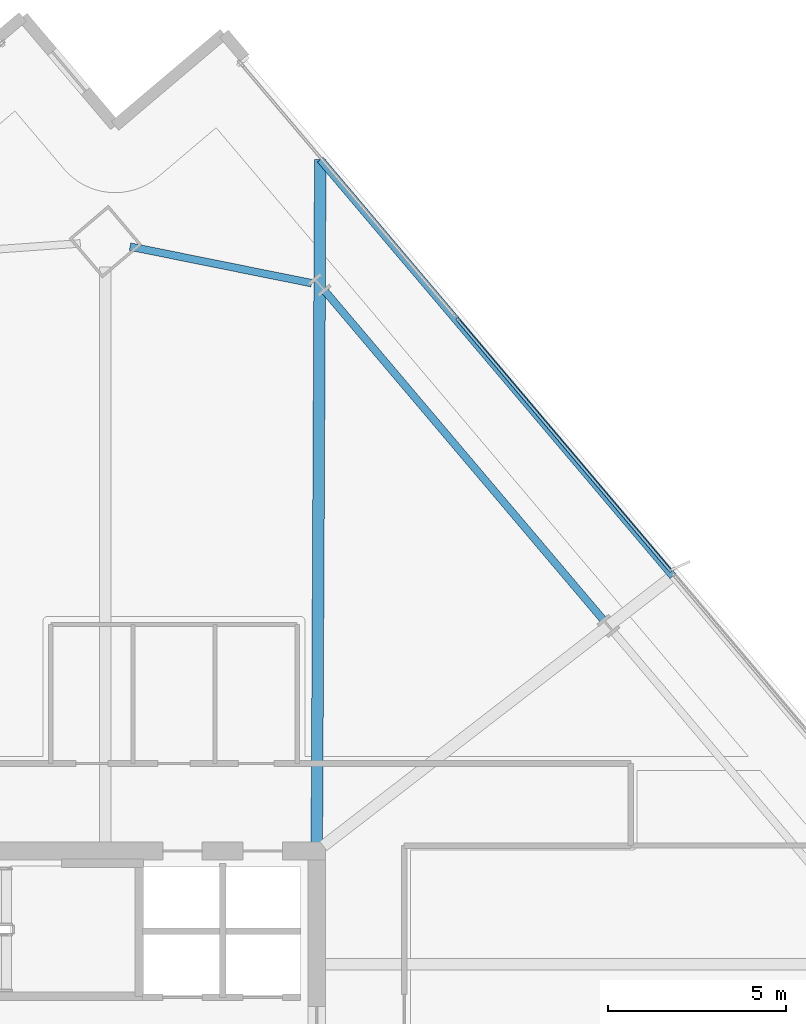
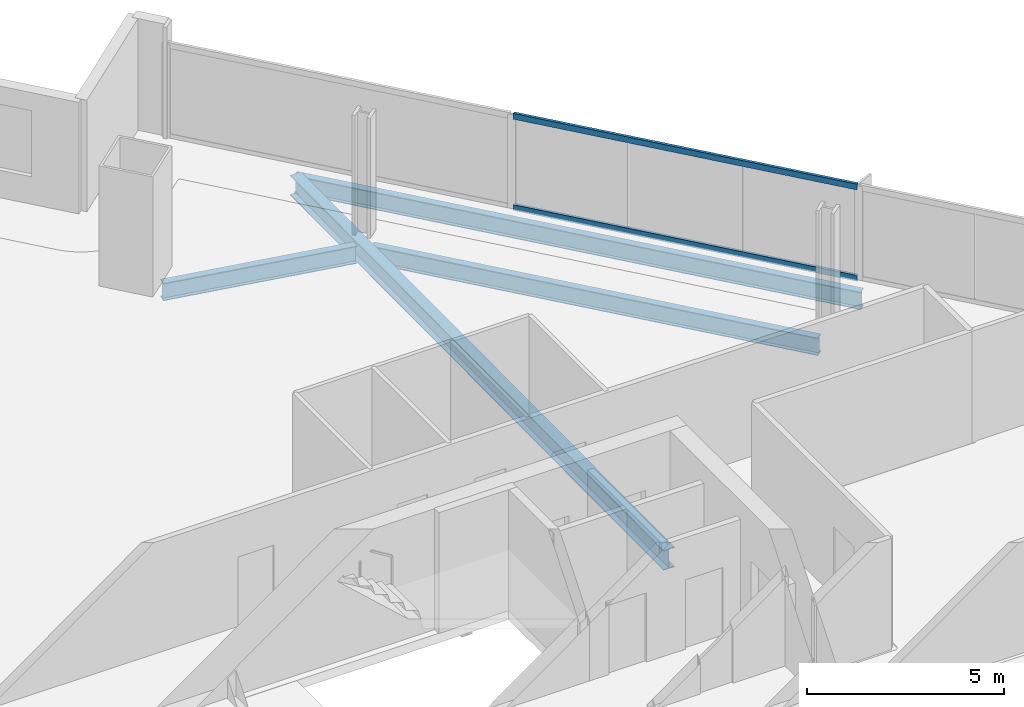
# One storey, part 23 of 34: 4 beams, 2 members, 1 element without a shape of its own.
"""IFC4 building model written with IfcOpenShell, lengths in metres."""

from ifc_helpers import new_model, si_unit, direction, frame, origin, origin_2d, place, context, subcontext, project, spatial, hollow_rectangle, i_section, extrude, material, material_profile, profile_set, type_object, element, aggregate, save


model = new_model("IFC4")

# Units and contexts
model_context = context("Model", 3, precision=1e-05, world=origin(), true_north=direction((0.0, 1.0)))
body_context = subcontext(model_context, "Body", "Model", "MODEL_VIEW")
ifc_project = project(units=[si_unit("LENGTHUNIT", "METRE"), si_unit("AREAUNIT", "SQUARE_METRE"), si_unit("VOLUMEUNIT", "CUBIC_METRE"), si_unit("PLANEANGLEUNIT", "RADIAN"), si_unit("MASSUNIT", "GRAM", prefix="KILO")], contexts=[model_context])

# Site, building, storey
site_placement = place(None, origin())
site = spatial("IfcSite", under=ifc_project, at=site_placement, CompositionType="ELEMENT")
building_placement = place(site_placement, origin())
building = spatial("IfcBuilding", under=site, at=building_placement, Name="Haldenkirk Collegiate Tower", CompositionType="ELEMENT")
storey_placement = place(building_placement, frame((0.0, 0.0, 163.199951171875)))
storey = spatial("IfcBuildingStorey", under=building, at=storey_placement, Name="L40", CompositionType="ELEMENT", Elevation=163.199951171875)

# Beams
ifc_material_1 = material(Name="Steel ASTM A992 Grade 50", Category="steel")
ifc_material_profile_1 = material_profile(ifc_material_1, i_section(OverallWidth=0.324951171875, OverallDepth=0.615966796875, WebThickness=0.013916015625, FlangeThickness=0.021484375, at=origin_2d()), Name="W24X117")
ifc_profile_set_1 = profile_set([ifc_material_profile_1], Name="Steel ASTM A992 Grade 50")
beam_type_1 = type_object("IfcBeamType", Name="BM-GIRDER-W24X117", PredefinedType="BEAM", material=ifc_profile_set_1)
beam_1_placement = place(storey_placement, frame((45.09765625, 53.373291015625, -0.597900390625), z_axis=(-0.005037494588, -0.999987311744, 0.0), x_axis=(0.999987311744, -0.005037494588, 0.0)))
element("IfcBeam", 1, at=beam_1_placement, inside=storey, type_object=beam_type_1, Name="L40 primary floor girder 10", PredefinedType="BEAM", context=body_context, shape_type="SweptSolid", body=[
    extrude(i_section(OverallWidth=0.324951171875, OverallDepth=0.615966796875, WebThickness=0.013916015625, FlangeThickness=0.021484375, at=origin_2d()), origin(), (0.0, 0.0, 1.0), 19.1435546875),
])
ifc_material_profile_2 = material_profile(ifc_material_1, i_section(OverallWidth=0.2119140625, OverallDepth=0.5439453125, WebThickness=0.01318359375, FlangeThickness=0.021240234375, at=origin_2d()), Name="W21X83")
ifc_profile_set_2 = profile_set([ifc_material_profile_2], Name="Steel ASTM A992 Grade 50")
beam_type_2 = type_object("IfcBeamType", Name="BM-SPANDREL-W21X83", PredefinedType="SPANDREL", material=ifc_profile_set_2)
beam_2_placement = place(storey_placement, frame((53.023193359375, 40.482177734375, -0.56201171875), z_axis=(-0.646126367676, 0.763230448157, 0.0), x_axis=(-0.763230448157, -0.646126367676, 0.0)))
element("IfcBeam", 2, at=beam_2_placement, inside=storey, type_object=beam_type_2, Name="L40 perimeter spandrel beam 07", PredefinedType="SPANDREL", context=body_context, shape_type="SweptSolid", body=[
    extrude(i_section(OverallWidth=0.2119140625, OverallDepth=0.5439453125, WebThickness=0.01318359375, FlangeThickness=0.021240234375, at=origin_2d()), origin(), (0.0, 0.0, 1.0), 12.06494140625),
])
beam_3_placement = place(storey_placement, frame((44.85546875, 49.910400390625, -0.56201171875), z_axis=(-0.980286465062, 0.197581493102, 0.0), x_axis=(-0.197581493102, -0.980286465062, 0.0)))
element("IfcBeam", 3, at=beam_3_placement, inside=storey, type_object=beam_type_2, Name="L40 perimeter spandrel beam 08", PredefinedType="SPANDREL", context=body_context, shape_type="SweptSolid", body=[
    extrude(i_section(OverallWidth=0.2119140625, OverallDepth=0.5439453125, WebThickness=0.01318359375, FlangeThickness=0.021240234375, at=origin_2d()), origin(), (0.0, 0.0, 1.0), 5.189697265625),
])
beam_4_placement = place(storey_placement, frame((54.97802734375, 41.701904296875, -0.56201171875), z_axis=(-0.64611685223, 0.763238503526, 0.0), x_axis=(-0.763238503526, -0.64611685223, 0.0)))
element("IfcBeam", 4, at=beam_4_placement, inside=storey, type_object=beam_type_2, Name="L40 outer facade edge beam 2B", PredefinedType="SPANDREL", context=body_context, shape_type="SweptSolid", body=[
    extrude(i_section(OverallWidth=0.2119140625, OverallDepth=0.5439453125, WebThickness=0.01318359375, FlangeThickness=0.021240234375, at=origin_2d()), origin(), (0.0, 0.0, 1.0), 15.2919921875),
])

# Curtain wall, members
ifc_material_2 = material(Name="Anodised architectural bronze aluminium", Category="aluminium")
curtain_wall_type = type_object("IfcCurtainWallType", Name="CW-SYS1-CONVEX-LOW", PredefinedType="USERDEFINED", material=ifc_material_2)
curtain_wall_placement = place(storey_placement, origin())
curtain_wall = element("IfcCurtainWall", 5, at=curtain_wall_placement, inside=storey, type_object=curtain_wall_type, Name="L40 Lower tower convex bronze-framed unitised curtain wall", ObjectType="UNITISED CURTAIN WALL", PredefinedType="USERDEFINED")
ifc_material_profile_3 = material_profile(ifc_material_2, hollow_rectangle(XDim=0.080078125, YDim=0.179931640625, WallThickness=0.0048828125, at=origin_2d()), Name="CW-TRN-1A")
ifc_profile_set_3 = profile_set([ifc_material_profile_3], Name="Anodised architectural bronze aluminium")
member_type = type_object("IfcMemberType", Name="CW-TRN-1A", PredefinedType="USERDEFINED", material=ifc_profile_set_3)
member_1_placement = place(storey_placement, frame((48.922607421875, 48.916748046875, 0.0400390625), z_axis=(0.646131917248, -0.763225750033, 0.0), x_axis=(0.763225750033, 0.646131917248, 0.0)))
member_1 = element("IfcMember", 6, at=member_1_placement, type_object=member_type, Name="CW-1A transom 2.1", ObjectType="TRANSOM", PredefinedType="USERDEFINED", context=body_context, shape_type="SweptSolid", body=[
    extrude(hollow_rectangle(XDim=0.080078125, YDim=0.179931640625, WallThickness=0.0048828125, at=origin_2d()), origin(), (0.0, 0.0, 1.0), 9.28857421875),
])
member_2_placement = place(storey_placement, frame((48.922607421875, 48.916748046875, 2.87109375), z_axis=(0.646131917248, -0.763225750033, 0.0), x_axis=(0.763225750033, 0.646131917248, 0.0)))
member_2 = element("IfcMember", 7, at=member_2_placement, type_object=member_type, Name="CW-1A transom 2.2", ObjectType="TRANSOM", PredefinedType="USERDEFINED", context=body_context, shape_type="SweptSolid", body=[
    extrude(hollow_rectangle(XDim=0.080078125, YDim=0.179931640625, WallThickness=0.0048828125, at=origin_2d()), origin(), (0.0, 0.0, 1.0), 9.28857421875),
])
aggregate(curtain_wall, [member_1, member_2])

save(model, "model.ifc")
